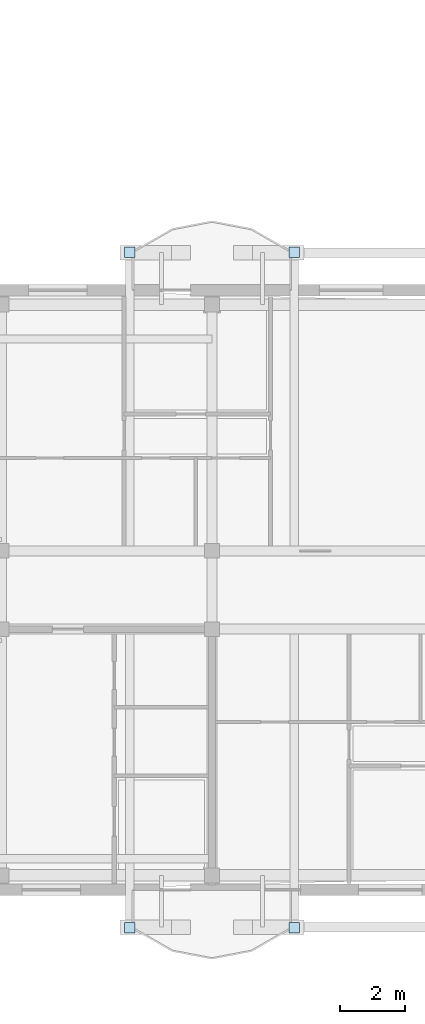
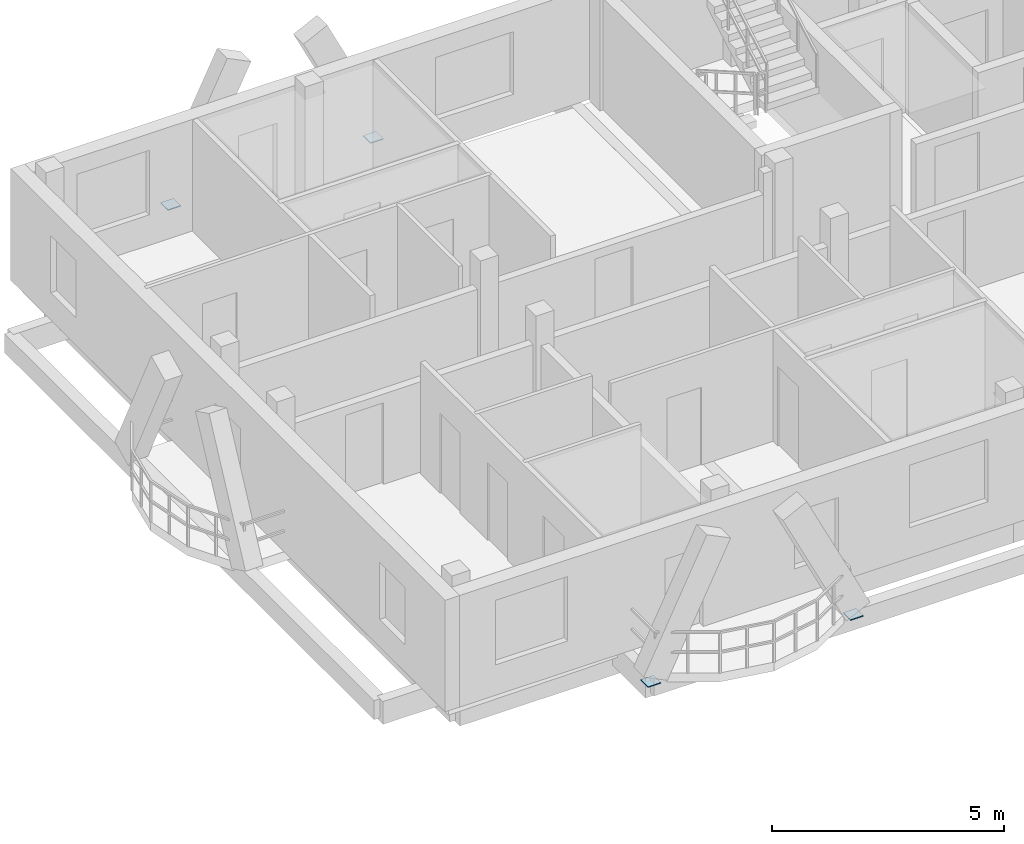
# One storey, part 12 of 52: 4 plates.
"""IFC4 building model written with IfcOpenShell, lengths in metres."""

from ifc_helpers import new_model, si_unit, direction, frame, origin, origin_2d, place, context, subcontext, project, spatial, rectangle, extrude, material, layer, layer_set, type_object, element, save


model = new_model("IFC4")

# Units and contexts
model_context = context("Model", 3, precision=1e-05, world=origin(), true_north=direction((0.0, 1.0)))
body_context = subcontext(model_context, "Body", "Model", "MODEL_VIEW")
ifc_project = project(units=[si_unit("LENGTHUNIT", "METRE"), si_unit("AREAUNIT", "SQUARE_METRE"), si_unit("VOLUMEUNIT", "CUBIC_METRE"), si_unit("PLANEANGLEUNIT", "RADIAN"), si_unit("MASSUNIT", "GRAM", prefix="KILO")], contexts=[model_context])

# Site, building, storey
site_placement = place(None, origin())
site = spatial("IfcSite", under=ifc_project, at=site_placement, CompositionType="ELEMENT")
building_placement = place(site_placement, origin())
building = spatial("IfcBuilding", under=site, at=building_placement, Name="Zavelmont Quarter", CompositionType="ELEMENT")
storey_placement = place(building_placement, frame((0.0, 0.0, 14.39990234375)))
storey = spatial("IfcBuildingStorey", under=building, at=storey_placement, Name="L04", CompositionType="ELEMENT", Elevation=14.39990234375)

# Plates
ifc_material = material(Name="Steel S355", Category="steel")
ifc_layer = layer(ifc_material, 0.02197265625)
ifc_layer_set = layer_set([ifc_layer], Name="Steel S355")
plate_type = type_object("IfcPlateType", Name="NP06", PredefinedType="SHEET", material=ifc_layer_set)
for number, where, z_axis, x_axis, name in (
    (1, (117.1767578125, -1.162109375, -0.2109375), (0.0, 0.0, 1.0), (1.0, 0.0, 0.0), "L04 steel connection plate NP06 at 18/A"),
    (2, (122.223388671875, -1.162109375, -0.2109375), (0.0, 0.0, 1.0), (1.0, 0.0, 0.0), "L04 steel connection plate NP06 at 18/A"),
    (3, (117.1767578125, 19.56201171875, -0.2109375), (0.0, 0.0, 1.0), (1.0, 0.0, 0.0), "L04 steel connection plate NP06 at 18/D"),
    (4, (122.223388671875, 19.56201171875, -0.2109375), (0.0, 0.0, 1.0), (1.0, 0.0, 0.0), "L04 steel connection plate NP06 at 18/D"),
):
    element("IfcPlate", number, at=place(storey_placement, frame(where, z_axis=z_axis, x_axis=x_axis)), inside=storey, type_object=plate_type, Name=name, PredefinedType="SHEET", context=body_context, shape_type="SweptSolid", body=[
        extrude(rectangle(XDim=0.320068359375, YDim=0.320068359375, at=origin_2d()), origin(), (0.0, 0.0, 1.0), 0.02197265625),
    ])

save(model, "model.ifc")
